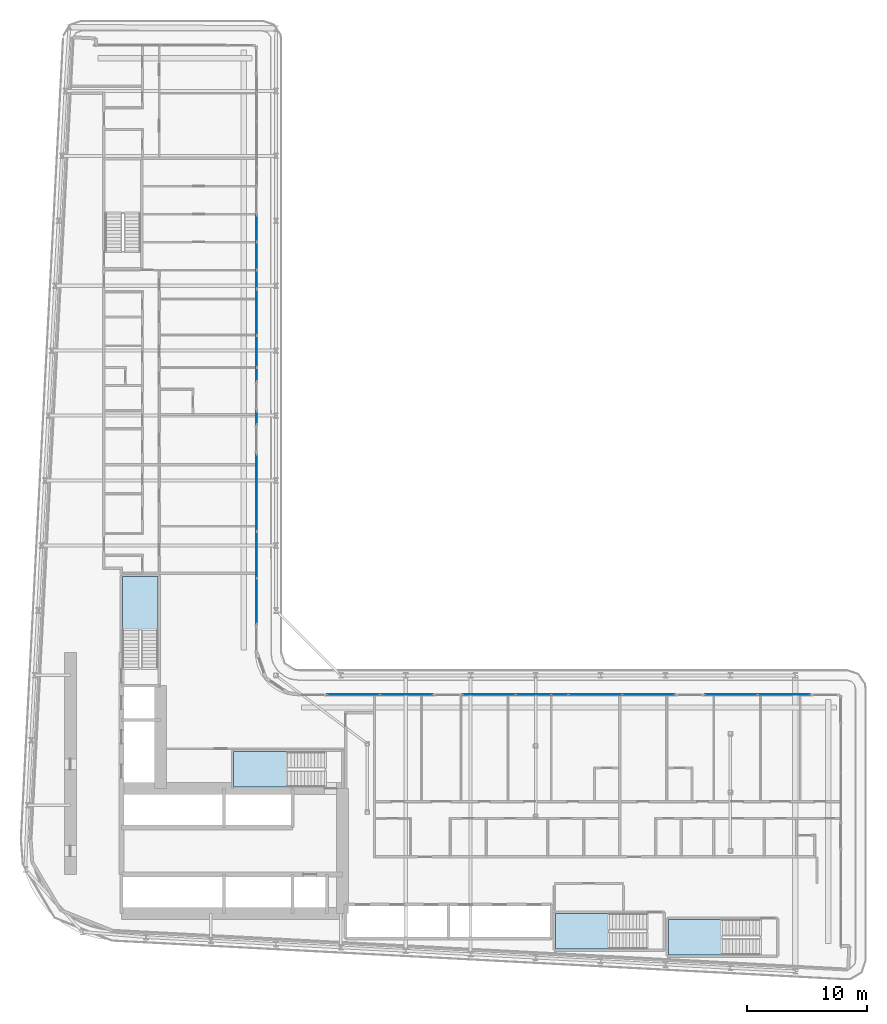
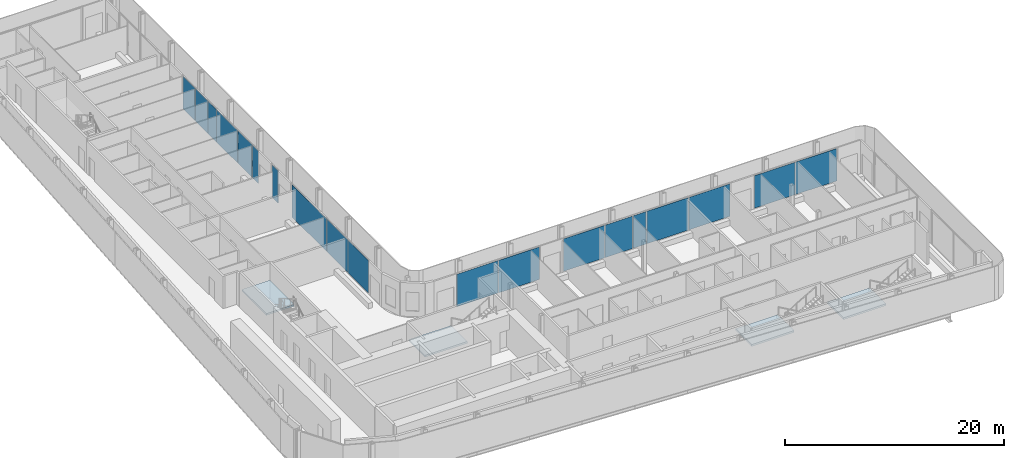
# One storey, part 10 of 27: 19 plates, 4 slabs, 13 elements without a shape of their own.
"""IFC4 building model written with IfcOpenShell, lengths in metres."""

import ifcopenshell
import ifcopenshell.guid

model = None  # the IFC model being written
_history = None  # IfcOwnerHistory: only IFC2X3 demands one
_inside = {}  # id of a spatial element -> (the spatial element, [elements in it])
_under = {}  # id of a project, library or spatial element -> (it, [spatial elements below it])
_declared = {}  # id of a project -> (the project, [libraries it declares])
_typed = {}  # id of a type object -> (the type object, [elements of that type])
_made_of = {}  # id of a material, layer set ... -> (it, [elements and type objects made of it])


def new_model(schema):
    """Start an empty IFC model of exactly this schema.

    Asked for "IFC4X3", IfcOpenShell would pick the latest addendum, in which some entities
    have other attributes; the version numbers below select the first issue.
    IFC2X3 requires an IfcOwnerHistory on every rooted entity: one is made here for all.
    """
    global model, _history
    if schema == "IFC4X3":
        model = ifcopenshell.file(schema_version=(4, 3, 0, 0))
    else:
        model = ifcopenshell.file(schema=schema)
    _inside.clear()
    _under.clear()
    _declared.clear()
    _typed.clear()
    _made_of.clear()
    _history = None
    if model.schema == "IFC2X3":
        org = make("IfcOrganization", Name="unknown")
        user = make(
            "IfcPersonAndOrganization",
            ThePerson=make("IfcPerson", FamilyName="unknown"),
            TheOrganization=org,
        )
        app = make(
            "IfcApplication",
            ApplicationDeveloper=org,
            Version="unknown",
            ApplicationFullName="unknown",
            ApplicationIdentifier="unknown",
        )
        _history = make(
            "IfcOwnerHistory",
            OwningUser=user,
            OwningApplication=app,
            ChangeAction="ADDED",
            CreationDate=0,
        )
    return model


def make(cls, **values):
    """One entity of the class cls with the attributes given. An attribute that is None is left unset."""
    return model.create_entity(
        cls, **{name: value for name, value in values.items() if value is not None}
    )


def rooted(cls, **values):
    """An entity with a GlobalId (a new one), such as an element, a storey or a relation."""
    return make(cls, GlobalId=ifcopenshell.guid.new(), OwnerHistory=_history, **values)


def si_unit(unit_type, name, prefix=None):
    """IfcSIUnit, for example si_unit("LENGTHUNIT", "METRE", prefix="MILLI")."""
    return make("IfcSIUnit", UnitType=unit_type, Prefix=prefix, Name=name)


def assignment(units):
    """IfcUnitAssignment: the units of a project."""
    return None if units is None else make("IfcUnitAssignment", Units=units)


def point(xyz):
    """IfcCartesianPoint."""
    return None if xyz is None else make("IfcCartesianPoint", Coordinates=xyz)


def direction(xyz):
    """IfcDirection."""
    return None if xyz is None else make("IfcDirection", DirectionRatios=xyz)


def frame(location, z_axis=None, x_axis=None):
    """IfcAxis2Placement3D, a coordinate frame: its origin and axes. An axis left out is left unset."""
    return make(
        "IfcAxis2Placement3D",
        Location=point(location),
        Axis=direction(z_axis),
        RefDirection=direction(x_axis),
    )


def frame_2d(location, x_axis=None):
    """IfcAxis2Placement2D, a coordinate frame in the plane: its origin and x axis."""
    return make(
        "IfcAxis2Placement2D", Location=point(location), RefDirection=direction(x_axis)
    )


def origin():
    """The frame at (0, 0, 0) with its axes left unset."""
    return frame((0.0, 0.0, 0.0))


def origin_2d():
    """The frame at (0, 0) in the plane with its x axis left unset."""
    return frame_2d((0.0, 0.0))


def place(relative_to, where):
    """IfcLocalPlacement: puts the frame where relative to a parent placement (None: the world)."""
    return make(
        "IfcLocalPlacement", PlacementRelTo=relative_to, RelativePlacement=where
    )


def context(
    kind, dimensions, precision=None, world=None, true_north=None, identifier=None
):
    """IfcGeometricRepresentationContext, for example the 3D "Model" context."""
    return make(
        "IfcGeometricRepresentationContext",
        ContextIdentifier=identifier,
        ContextType=kind,
        CoordinateSpaceDimension=dimensions,
        Precision=precision,
        WorldCoordinateSystem=world,
        TrueNorth=true_north,
    )


def subcontext(parent, identifier, kind, view, scale=None):
    """IfcGeometricRepresentationSubContext, for example "Body" below "Model"."""
    return make(
        "IfcGeometricRepresentationSubContext",
        ContextIdentifier=identifier,
        ContextType=kind,
        ParentContext=parent,
        TargetScale=scale,
        TargetView=view,
    )


def project(units=None, contexts=None):
    """IfcProject with its units and contexts."""
    return rooted(
        "IfcProject",
        Name="project",
        RepresentationContexts=contexts,
        UnitsInContext=assignment(units),
    )


def spatial(cls, under=None, at=None, **own):
    """A site, building, storey or space (cls), placed at a placement, below another one or the project."""
    s = rooted(cls, ObjectPlacement=at, **own)
    if under is not None:
        _under.setdefault(under.id(), (under, []))[1].append(s)
    return s


def polyline(points):
    """IfcPolyline through the points."""
    return make("IfcPolyline", Points=[point(p) for p in points])


def profile(cls, at=None, kind="AREA", **sizes):
    """A parametric profile (cls). Its sizes go by their IFC names, for example OverallWidth=200.0."""
    return make(cls, ProfileType=kind, Position=at, **sizes)


def rectangle(**sizes):
    """IfcRectangleProfileDef."""
    return profile("IfcRectangleProfileDef", **sizes)


def outline(outer, holes=None, kind="AREA"):
    """IfcArbitraryClosedProfileDef: a profile drawn as a closed curve; with holes, ...WithVoids."""
    if holes is None:
        return make("IfcArbitraryClosedProfileDef", ProfileType=kind, OuterCurve=outer)
    return make(
        "IfcArbitraryProfileDefWithVoids",
        ProfileType=kind,
        OuterCurve=outer,
        InnerCurves=holes,
    )


def extrude(swept, where, along, depth):
    """IfcExtrudedAreaSolid: the profile swept, set in the frame where, extruded along a direction by depth."""
    return make(
        "IfcExtrudedAreaSolid",
        SweptArea=swept,
        Position=where,
        ExtrudedDirection=direction(along),
        Depth=depth,
    )


def shape(context_of_items, identifier, shape_type, items):
    """IfcShapeRepresentation: the items that make up one representation, for example the "Body"."""
    return make(
        "IfcShapeRepresentation",
        ContextOfItems=context_of_items,
        RepresentationIdentifier=identifier,
        RepresentationType=shape_type,
        Items=items,
    )


def material(Name=None, Category=None):
    """IfcMaterial."""
    return make("IfcMaterial", Name=Name, Category=Category)


def layer(
    of_material, thickness, ventilated=None, Name=None, Category=None, Priority=None
):
    """IfcMaterialLayer: one layer of a wall or slab, of a material (None: an air gap)."""
    return make(
        "IfcMaterialLayer",
        Material=of_material,
        LayerThickness=thickness,
        IsVentilated=ventilated,
        Name=Name,
        Category=Category,
        Priority=Priority,
    )


def layer_set(layers, Name=None):
    """IfcMaterialLayerSet."""
    return make("IfcMaterialLayerSet", MaterialLayers=layers, LayerSetName=Name)


def made_of(thing, what):
    """Note that an element or type object is made of a material, layer set ...; save() writes the relation."""
    if what is not None:
        _made_of.setdefault(what.id(), (what, []))[1].append(thing)
    return thing


def type_object(cls, material=None, **own):
    """A type object (cls), such as IfcWallType, which elements share."""
    return made_of(rooted(cls, **own), material)


def element(
    cls,
    number,
    at=None,
    inside=None,
    cuts=None,
    type_object=None,
    material=None,
    context=None,
    identifier="Body",
    shape_type=None,
    held_by="IfcProductDefinitionShape",
    body=None,
    shapes=None,
    **own,
):
    """One element of the class cls, such as IfcWall. Its Tag is "e" and its number.

    at: its placement. inside: the storey or other place that contains it. cuts: it is an
    opening in that element (IfcRelVoidsElement). A single representation is given by context,
    identifier, shape_type and body (its items); several are given by shapes. held_by: the class
    of the entity that holds the representations. save() writes the other relations.
    """
    e = rooted(cls, Tag="e%d" % number, ObjectPlacement=at, **own)
    if body is not None:
        shapes = [shape(context, identifier, shape_type, body)]
    if shapes is not None:
        e.Representation = make(held_by, Representations=shapes)
    if inside is not None:
        _inside.setdefault(inside.id(), (inside, []))[1].append(e)
    if cuts is not None:
        rooted(
            "IfcRelVoidsElement", RelatingBuildingElement=cuts, RelatedOpeningElement=e
        )
    if type_object is not None:
        _typed.setdefault(type_object.id(), (type_object, []))[1].append(e)
    return made_of(e, material)


def aggregate(whole, parts):
    """IfcRelAggregates: a whole, such as a stair, and the parts it consists of."""
    return rooted("IfcRelAggregates", RelatingObject=whole, RelatedObjects=parts)


def save(model, path):
    """Write the relations noted so far, then the file.

    IfcRelAggregates (storeys below a building ...), IfcRelContainedInSpatialStructure (elements
    in a storey), IfcRelDefinesByType, IfcRelAssociatesMaterial and IfcRelDeclares: one each for
    every whole, place, type object, material and project.
    """
    for whole, parts in _under.values():
        aggregate(whole, parts)
    for where, things in _inside.values():
        rooted(
            "IfcRelContainedInSpatialStructure",
            RelatedElements=things,
            RelatingStructure=where,
        )
    for kind, things in _typed.values():
        rooted("IfcRelDefinesByType", RelatedObjects=things, RelatingType=kind)
    for what, things in _made_of.values():
        rooted("IfcRelAssociatesMaterial", RelatedObjects=things, RelatingMaterial=what)
    for by, libraries in _declared.values():
        rooted("IfcRelDeclares", RelatingContext=by, RelatedDefinitions=libraries)
    model.write(path)


model = new_model("IFC4")

# Units and contexts
model_context = context("Model", 3, precision=1e-05, world=origin(), true_north=direction((0.0, 1.0)))
body_context = subcontext(model_context, "Body", "Model", "MODEL_VIEW")
ifc_project = project(units=[si_unit("LENGTHUNIT", "METRE"), si_unit("AREAUNIT", "SQUARE_METRE"), si_unit("VOLUMEUNIT", "CUBIC_METRE"), si_unit("PLANEANGLEUNIT", "RADIAN"), si_unit("MASSUNIT", "GRAM", prefix="KILO")], contexts=[model_context])

# Site, building, storey
site_placement = place(None, origin())
site = spatial("IfcSite", under=ifc_project, at=site_placement, CompositionType="ELEMENT")
building_placement = place(site_placement, origin())
building = spatial("IfcBuilding", under=site, at=building_placement, Name="Kheshtan School and Residences Tower", CompositionType="ELEMENT")
storey_placement = place(building_placement, frame((0.0, 0.0, 46.10009765625)))
storey = spatial("IfcBuildingStorey", under=building, at=storey_placement, Name="L10", CompositionType="ELEMENT", Elevation=46.10009765625)

# Curtain wall, plates
ifc_material_1 = material(Name="Clear low-e glass in thermally broken aluminium frame", Category="aluminium")
ifc_layer_1 = layer(ifc_material_1, 0.199951171875)
ifc_layer_set_1 = layer_set([ifc_layer_1], Name="Curtain wall CW-L")
curtain_wall_type = type_object("IfcCurtainWallType", Name="Curtain wall CW-L", PredefinedType="NOTDEFINED", material=ifc_layer_set_1)
curtain_wall_1_placement = place(storey_placement, origin())
curtain_wall_1 = element("IfcCurtainWall", 1, at=curtain_wall_1_placement, inside=storey, type_object=curtain_wall_type, Name="Curtain wall CWL8b", PredefinedType="NOTDEFINED")
ifc_layer_2 = layer(ifc_material_1, 0.031982421875)
ifc_layer_set_2 = layer_set([ifc_layer_2], Name="CW-L glass panel")
plate_type = type_object("IfcPlateType", Name="CW-L glass panel", PredefinedType="CURTAIN_PANEL", material=ifc_layer_set_2)
plate_1_placement = place(storey_placement, frame((46.0, 82.75048828125, 0.0), z_axis=(0.0, 0.0, 1.0), x_axis=(0.0, -1.0, 0.0)))
plate_1 = element("IfcPlate", 2, at=plate_1_placement, type_object=plate_type, Name="CWL8b panel 1.1", PredefinedType="CURTAIN_PANEL", context=body_context, shape_type="SweptSolid", body=[
    extrude(rectangle(XDim=2.19091796875, YDim=0.031982421875, at=origin_2d()), origin(), (0.0, 0.0, 1.0), 3.6298828125),
])
plate_2_placement = place(storey_placement, frame((46.0, 80.46240234375, 0.0), z_axis=(0.0, 0.0, 1.0), x_axis=(0.0, -1.0, 0.0)))
plate_2 = element("IfcPlate", 3, at=plate_2_placement, type_object=plate_type, Name="CWL8b panel 2.1", PredefinedType="CURTAIN_PANEL", context=body_context, shape_type="SweptSolid", body=[
    extrude(rectangle(XDim=2.264892578125, YDim=0.031982421875, at=origin_2d()), origin(), (0.0, 0.0, 1.0), 3.6298828125),
])
plate_3_placement = place(storey_placement, frame((46.0, 78.52099609375, 0.0), z_axis=(0.0, 0.0, 1.0), x_axis=(0.0, -1.0, 0.0)))
plate_3 = element("IfcPlate", 4, at=plate_3_placement, type_object=plate_type, Name="CWL8b panel 3.1", PredefinedType="CURTAIN_PANEL", context=body_context, shape_type="SweptSolid", body=[
    extrude(rectangle(XDim=1.498046875, YDim=0.031982421875, at=origin_2d()), origin(), (0.0, 0.0, 1.0), 3.6298828125),
])
aggregate(curtain_wall_1, [plate_1, plate_2, plate_3])

curtain_wall_2_placement = place(storey_placement, origin())
curtain_wall_2 = element("IfcCurtainWall", 5, at=curtain_wall_2_placement, inside=storey, type_object=curtain_wall_type, Name="Curtain wall CWL8c", PredefinedType="NOTDEFINED")
plate_4_placement = place(storey_placement, frame((46.0, 75.803466796875, 0.0), z_axis=(0.0, 0.0, 1.0), x_axis=(0.0, -1.0, 0.0)))
plate_4 = element("IfcPlate", 6, at=plate_4_placement, type_object=plate_type, Name="CWL8c panel 1.1", PredefinedType="CURTAIN_PANEL", context=body_context, shape_type="SweptSolid", body=[
    extrude(rectangle(XDim=3.81689453125, YDim=0.031982421875, at=origin_2d()), origin(), (0.0, 0.0, 1.0), 3.6298828125),
])
plate_5_placement = place(storey_placement, frame((46.0, 72.532470703125, 0.0), z_axis=(0.0, 0.0, 1.0), x_axis=(0.0, -1.0, 0.0)))
plate_5 = element("IfcPlate", 7, at=plate_5_placement, type_object=plate_type, Name="CWL8c panel 2.1", PredefinedType="CURTAIN_PANEL", context=body_context, shape_type="SweptSolid", body=[
    extrude(rectangle(XDim=2.60498046875, YDim=0.031982421875, at=origin_2d()), origin(), (0.0, 0.0, 1.0), 3.6298828125),
])
plate_6_placement = place(storey_placement, frame((46.0, 70.6240234375, 0.0), z_axis=(0.0, 0.0, 1.0), x_axis=(0.0, -1.0, 0.0)))
plate_6 = element("IfcPlate", 8, at=plate_6_placement, type_object=plate_type, Name="CWL8c panel 3.1", PredefinedType="CURTAIN_PANEL", context=body_context, shape_type="SweptSolid", body=[
    extrude(rectangle(XDim=1.092041015625, YDim=0.031982421875, at=origin_2d()), origin(), (0.0, 0.0, 1.0), 3.6298828125),
])
aggregate(curtain_wall_2, [plate_4, plate_5, plate_6])

# Curtain wall, plate
curtain_wall_3_placement = place(storey_placement, origin())
curtain_wall_3 = element("IfcCurtainWall", 9, at=curtain_wall_3_placement, inside=storey, type_object=curtain_wall_type, Name="Curtain wall CWL8g", PredefinedType="NOTDEFINED")
plate_7_placement = place(storey_placement, frame((46.0, 67.01806640625, 0.0), z_axis=(0.0, 0.0, 1.0), x_axis=(0.0, -1.0, 0.0)))
plate_7 = element("IfcPlate", 10, at=plate_7_placement, type_object=plate_type, Name="CWL8g panel 1.1", PredefinedType="CURTAIN_PANEL", context=body_context, shape_type="SweptSolid", body=[
    extrude(rectangle(XDim=1.080078125, YDim=0.031982421875, at=origin_2d()), origin(), (0.0, 0.0, 1.0), 3.6298828125),
])
aggregate(curtain_wall_3, [plate_7])

curtain_wall_4_placement = place(storey_placement, origin())
curtain_wall_4 = element("IfcCurtainWall", 11, at=curtain_wall_4_placement, inside=storey, type_object=curtain_wall_type, Name="Curtain wall CWL8h", PredefinedType="NOTDEFINED")
plate_8_placement = place(storey_placement, frame((46.0, 60.77099609375, 0.0), z_axis=(0.0, 0.0, 1.0), x_axis=(0.0, -1.0, 0.0)))
plate_8 = element("IfcPlate", 12, at=plate_8_placement, type_object=plate_type, Name="CWL8h panel 1.1", PredefinedType="CURTAIN_PANEL", context=body_context, shape_type="SweptSolid", body=[
    extrude(rectangle(XDim=6.3740234375, YDim=0.031982421875, at=origin_2d()), origin(), (0.0, 0.0, 1.0), 3.6298828125),
])
aggregate(curtain_wall_4, [plate_8])

# Curtain wall, plates
curtain_wall_5_placement = place(storey_placement, origin())
curtain_wall_5 = element("IfcCurtainWall", 13, at=curtain_wall_5_placement, inside=storey, type_object=curtain_wall_type, Name="Curtain wall CWL8", PredefinedType="NOTDEFINED")
plate_9_placement = place(storey_placement, frame((46.0, 55.615478515625, 0.0), z_axis=(0.0, 0.0, 1.0), x_axis=(0.0, -1.0, 0.0)))
plate_9 = element("IfcPlate", 14, at=plate_9_placement, type_object=plate_type, Name="CWL8 panel 1.1", PredefinedType="CURTAIN_PANEL", context=body_context, shape_type="SweptSolid", body=[
    extrude(rectangle(XDim=3.81689453125, YDim=0.031982421875, at=origin_2d()), origin(), (0.0, 0.0, 1.0), 3.6298828125),
])
plate_10_placement = place(storey_placement, frame((46.0, 51.7685546875, 0.0), z_axis=(0.0, 0.0, 1.0), x_axis=(0.0, -1.0, 0.0)))
plate_10 = element("IfcPlate", 15, at=plate_10_placement, type_object=plate_type, Name="CWL8 panel 2.1", PredefinedType="CURTAIN_PANEL", context=body_context, shape_type="SweptSolid", body=[
    extrude(rectangle(XDim=3.757080078125, YDim=0.031982421875, at=origin_2d()), origin(), (0.0, 0.0, 1.0), 3.6298828125),
])
aggregate(curtain_wall_5, [plate_9, plate_10])

curtain_wall_6_placement = place(storey_placement, origin())
curtain_wall_6 = element("IfcCurtainWall", 16, at=curtain_wall_6_placement, inside=storey, type_object=curtain_wall_type, Name="Curtain wall CWL12f", PredefinedType="NOTDEFINED")
plate_11_placement = place(storey_placement, frame((54.061767578125, 44.0, 0.0), z_axis=(0.0, 0.0, 1.0), x_axis=(1.0, 0.0, 0.0)))
plate_11 = element("IfcPlate", 17, at=plate_11_placement, type_object=plate_type, Name="CWL12f panel 1.1", PredefinedType="CURTAIN_PANEL", context=body_context, shape_type="SweptSolid", body=[
    extrude(rectangle(XDim=4.34375, YDim=0.031982421875, at=origin_2d()), origin(), (0.0, 0.0, 1.0), 3.6298828125),
])
plate_12_placement = place(storey_placement, frame((58.465576171875, 44.0, 0.0), z_axis=(0.0, 0.0, 1.0), x_axis=(1.0, 0.0, 0.0)))
plate_12 = element("IfcPlate", 18, at=plate_12_placement, type_object=plate_type, Name="CWL12f panel 2.1", PredefinedType="CURTAIN_PANEL", context=body_context, shape_type="SweptSolid", body=[
    extrude(rectangle(XDim=4.34375, YDim=0.031982421875, at=origin_2d()), origin(), (0.0, 0.0, 1.0), 3.6298828125),
])
aggregate(curtain_wall_6, [plate_11, plate_12])

curtain_wall_7_placement = place(storey_placement, origin())
curtain_wall_7 = element("IfcCurtainWall", 19, at=curtain_wall_7_placement, inside=storey, type_object=curtain_wall_type, Name="Curtain wall CWL12g", PredefinedType="NOTDEFINED")
plate_13_placement = place(storey_placement, frame((65.329345703125, 44.0, 0.0), z_axis=(0.0, 0.0, 1.0), x_axis=(1.0, 0.0, 0.0)))
plate_13 = element("IfcPlate", 20, at=plate_13_placement, type_object=plate_type, Name="CWL12g panel 1.1", PredefinedType="CURTAIN_PANEL", context=body_context, shape_type="SweptSolid", body=[
    extrude(rectangle(XDim=4.34375, YDim=0.031982421875, at=origin_2d()), origin(), (0.0, 0.0, 1.0), 3.6298828125),
])
plate_14_placement = place(storey_placement, frame((69.015625, 44.0, 0.0), z_axis=(0.0, 0.0, 1.0), x_axis=(1.0, 0.0, 0.0)))
plate_14 = element("IfcPlate", 21, at=plate_14_placement, type_object=plate_type, Name="CWL12g panel 2.1", PredefinedType="CURTAIN_PANEL", context=body_context, shape_type="SweptSolid", body=[
    extrude(rectangle(XDim=2.90869140625, YDim=0.031982421875, at=origin_2d()), origin(), (0.0, 0.0, 1.0), 3.6298828125),
])
plate_15_placement = place(storey_placement, frame((71.217529296875, 44.0, 0.0), z_axis=(0.0, 0.0, 1.0), x_axis=(1.0, 0.0, 0.0)))
plate_15 = element("IfcPlate", 22, at=plate_15_placement, type_object=plate_type, Name="CWL12g panel 3.1", PredefinedType="CURTAIN_PANEL", context=body_context, shape_type="SweptSolid", body=[
    extrude(rectangle(XDim=1.375, YDim=0.031982421875, at=origin_2d()), origin(), (0.0, 0.0, 1.0), 3.6298828125),
])
aggregate(curtain_wall_7, [plate_13, plate_14, plate_15])

curtain_wall_8_placement = place(storey_placement, origin())
curtain_wall_8 = element("IfcCurtainWall", 23, at=curtain_wall_8_placement, inside=storey, type_object=curtain_wall_type, Name="Curtain wall CWL12i", PredefinedType="NOTDEFINED")
plate_16_placement = place(storey_placement, frame((74.1669921875, 44.0, 0.0), z_axis=(0.0, 0.0, 1.0), x_axis=(1.0, 0.0, 0.0)))
plate_16 = element("IfcPlate", 24, at=plate_16_placement, type_object=plate_type, Name="CWL12i panel 1.1", PredefinedType="CURTAIN_PANEL", context=body_context, shape_type="SweptSolid", body=[
    extrude(rectangle(XDim=4.40380859375, YDim=0.031982421875, at=origin_2d()), origin(), (0.0, 0.0, 1.0), 3.6298828125),
])
plate_17_placement = place(storey_placement, frame((78.6005859375, 44.0, 0.0), z_axis=(0.0, 0.0, 1.0), x_axis=(1.0, 0.0, 0.0)))
plate_17 = element("IfcPlate", 25, at=plate_17_placement, type_object=plate_type, Name="CWL12i panel 2.1", PredefinedType="CURTAIN_PANEL", context=body_context, shape_type="SweptSolid", body=[
    extrude(rectangle(XDim=4.34375, YDim=0.031982421875, at=origin_2d()), origin(), (0.0, 0.0, 1.0), 3.6298828125),
])
aggregate(curtain_wall_8, [plate_16, plate_17])

curtain_wall_9_placement = place(storey_placement, origin())
curtain_wall_9 = element("IfcCurtainWall", 26, at=curtain_wall_9_placement, inside=storey, type_object=curtain_wall_type, Name="Curtain wall CWL12i", PredefinedType="NOTDEFINED")
plate_18_placement = place(storey_placement, frame((85.46435546875, 44.0, 0.0), z_axis=(0.0, 0.0, 1.0), x_axis=(1.0, 0.0, 0.0)))
plate_18 = element("IfcPlate", 27, at=plate_18_placement, type_object=plate_type, Name="CWL12i panel 1.1", PredefinedType="CURTAIN_PANEL", context=body_context, shape_type="SweptSolid", body=[
    extrude(rectangle(XDim=4.34375, YDim=0.031982421875, at=origin_2d()), origin(), (0.0, 0.0, 1.0), 3.6298828125),
])
plate_19_placement = place(storey_placement, frame((89.8681640625, 44.0, 0.0), z_axis=(0.0, 0.0, 1.0), x_axis=(1.0, 0.0, 0.0)))
plate_19 = element("IfcPlate", 28, at=plate_19_placement, type_object=plate_type, Name="CWL12i panel 2.1", PredefinedType="CURTAIN_PANEL", context=body_context, shape_type="SweptSolid", body=[
    extrude(rectangle(XDim=4.34375, YDim=0.031982421875, at=origin_2d()), origin(), (0.0, 0.0, 1.0), 3.6298828125),
])
aggregate(curtain_wall_9, [plate_18, plate_19])

# Stair, slab
ifc_material_2 = material(Name="Concrete C40/50", Category="concrete")
stair_type = type_object("IfcStairType", Name="Exit stair, half-turn", PredefinedType="HALF_TURN_STAIR", material=ifc_material_2)
stair_1_placement = place(storey_placement, origin())
stair_1 = element("IfcStair", 29, at=stair_1_placement, inside=storey, type_object=stair_type, Name="L10 Protected Exit Stair ST1", PredefinedType="HALF_TURN_STAIR")
ifc_layer_3 = layer(ifc_material_2, 0.199951171875)
ifc_layer_set_3 = layer_set([ifc_layer_3], Name="Stair landing 200 Concrete C40/50")
slab_type = type_object("IfcSlabType", Name="Stair landing 200 Concrete C40/50", PredefinedType="LANDING", material=ifc_layer_set_3)
slab_1_placement = place(storey_placement, frame((0.0, 0.0, 1.75)))
slab_1 = element("IfcSlab", 30, at=slab_1_placement, type_object=slab_type, Name="ST1 landing 1", PredefinedType="LANDING", context=body_context, shape_type="SweptSolid", body=[
    extrude(outline(polyline([(48.570068359375, 39.25), (44.090087890625, 39.25), (44.090087890625, 36.300048828125), (48.570068359375, 36.300048828125), (48.570068359375, 39.25)])), origin(), (0.0, 0.0, 1.0), 0.199951171875),
])
aggregate(stair_1, [slab_1])

stair_2_placement = place(storey_placement, origin())
stair_2 = element("IfcStair", 31, at=stair_2_placement, inside=storey, type_object=stair_type, Name="L10 Protected Exit Stair ST2", PredefinedType="HALF_TURN_STAIR")
slab_2_placement = place(storey_placement, frame((0.0, 0.0, 1.75)))
slab_2 = element("IfcSlab", 32, at=slab_2_placement, type_object=slab_type, Name="ST2 landing 1", PredefinedType="LANDING", context=body_context, shape_type="SweptSolid", body=[
    extrude(outline(polyline([(37.800048828125, 49.330078125), (37.800048828125, 53.81005859375), (34.85009765625, 53.81005859375), (34.85009765625, 49.330078125), (37.800048828125, 49.330078125)])), origin(), (0.0, 0.0, 1.0), 0.199951171875),
])
aggregate(stair_2, [slab_2])

stair_3_placement = place(storey_placement, origin())
stair_3 = element("IfcStair", 33, at=stair_3_placement, inside=storey, type_object=stair_type, Name="L10 Protected Exit Stair ST4", PredefinedType="HALF_TURN_STAIR")
slab_3_placement = place(storey_placement, frame((0.0, 0.0, 1.75)))
slab_3 = element("IfcSlab", 34, at=slab_3_placement, type_object=slab_type, Name="ST4 landing 1", PredefinedType="LANDING", context=body_context, shape_type="SweptSolid", body=[
    extrude(outline(polyline([(84.739990234375, 25.300048828125), (80.260009765625, 25.300048828125), (80.260009765625, 22.35009765625), (84.739990234375, 22.35009765625), (84.739990234375, 25.300048828125)])), origin(), (0.0, 0.0, 1.0), 0.199951171875),
])
aggregate(stair_3, [slab_3])

stair_4_placement = place(storey_placement, origin())
stair_4 = element("IfcStair", 35, at=stair_4_placement, inside=storey, type_object=stair_type, Name="L10 Protected Exit Stair ST5", PredefinedType="HALF_TURN_STAIR")
slab_4_placement = place(storey_placement, frame((0.0, 0.0, 1.75)))
slab_4 = element("IfcSlab", 36, at=slab_4_placement, type_object=slab_type, Name="ST5 landing 1", PredefinedType="LANDING", context=body_context, shape_type="SweptSolid", body=[
    extrude(outline(polyline([(75.330078125, 25.800048828125), (70.85009765625, 25.800048828125), (70.85009765625, 22.85009765625), (75.330078125, 22.85009765625), (75.330078125, 25.800048828125)])), origin(), (0.0, 0.0, 1.0), 0.199951171875),
])
aggregate(stair_4, [slab_4])

save(model, "model.ifc")
